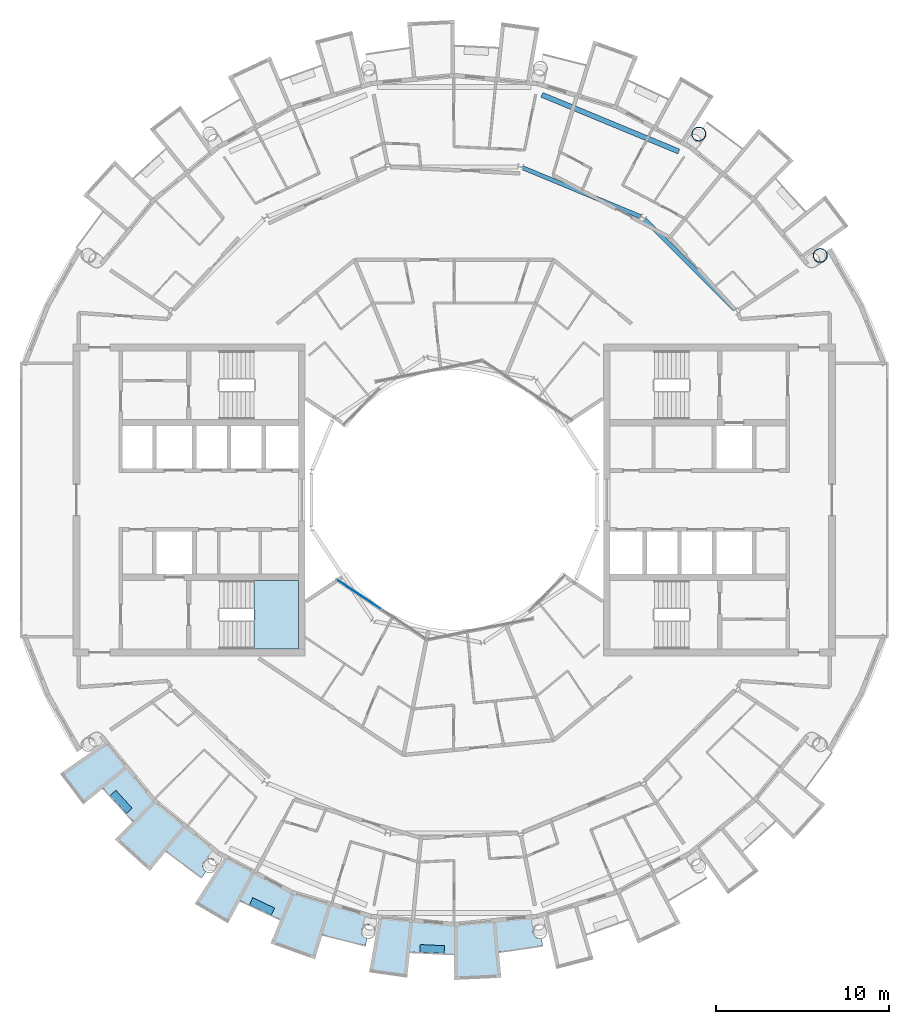
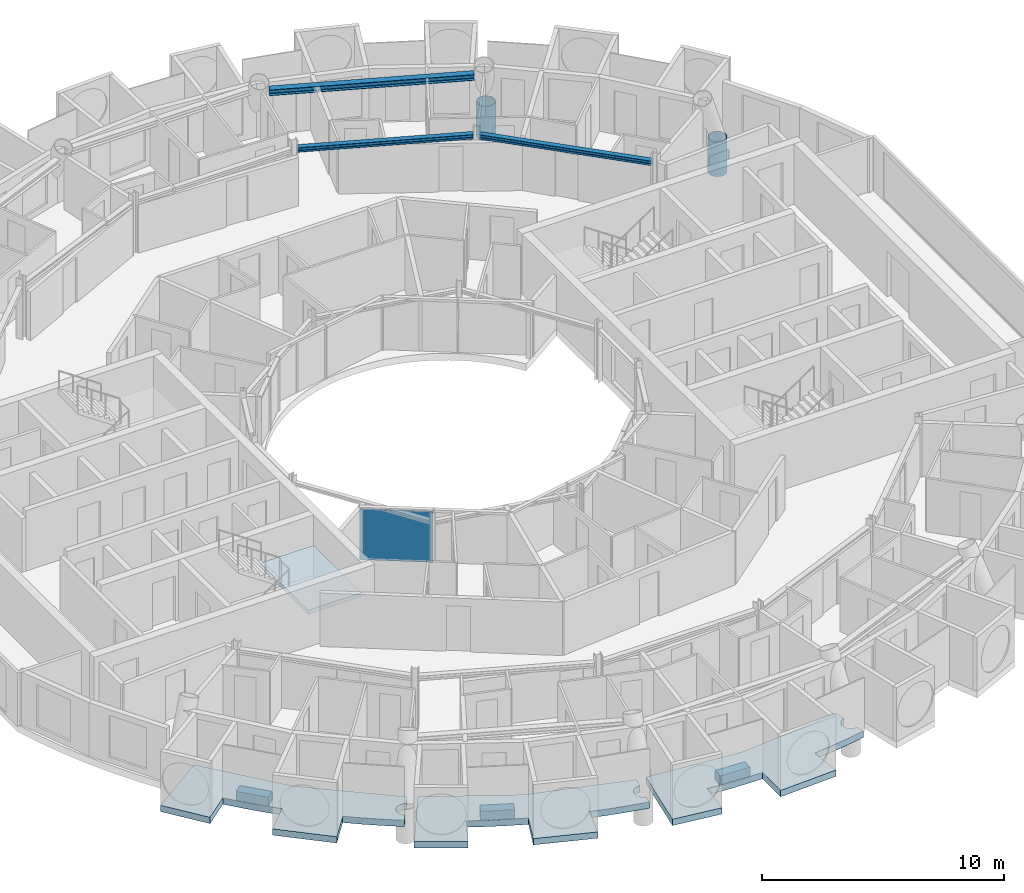
# One storey, part 10 of 27: 7 slabs, 3 beams, 2 members, 1 plate, 2 elements without a shape of their own.
"""IFC4 building model written with IfcOpenShell, lengths in metres."""

from ifc_helpers import new_model, si_unit, direction, frame, origin, origin_2d, place, context, subcontext, project, spatial, polyline, rectangle, hollow_circle, i_section, outline, extrude, material, layer, layer_set, material_profile, profile_set, type_object, element, aggregate, save


model = new_model("IFC4")

# Units and contexts
model_context = context("Model", 3, precision=1e-05, world=origin(), true_north=direction((0.0, 1.0)))
body_context = subcontext(model_context, "Body", "Model", "MODEL_VIEW")
ifc_project = project(units=[si_unit("LENGTHUNIT", "METRE"), si_unit("AREAUNIT", "SQUARE_METRE"), si_unit("VOLUMEUNIT", "CUBIC_METRE"), si_unit("PLANEANGLEUNIT", "RADIAN"), si_unit("MASSUNIT", "GRAM", prefix="KILO")], contexts=[model_context])

# Site, building, storey
site_placement = place(None, origin())
site = spatial("IfcSite", under=ifc_project, at=site_placement, CompositionType="ELEMENT")
building_placement = place(site_placement, origin())
building = spatial("IfcBuilding", under=site, at=building_placement, Name="Maasbend Ring Residences", CompositionType="ELEMENT")
storey_placement = place(building_placement, frame((0.0, 0.0, 243.199951171875)))
storey = spatial("IfcBuildingStorey", under=building, at=storey_placement, Name="L70", CompositionType="ELEMENT", Elevation=243.199951171875)

# Members
ifc_material_1 = material(Name="Steel S460NH", Category="steel")
ifc_material_profile_1 = material_profile(ifc_material_1, hollow_circle(Radius=0.406494140625, WallThickness=0.030029296875, at=origin_2d()), Name="Column node insert CHS 813x30")
ifc_profile_set_1 = profile_set([ifc_material_profile_1], Name="Steel S460NH")
member_type = type_object("IfcMemberType", Name="Column node insert CHS 813x30", PredefinedType="POST", material=ifc_profile_set_1)
for number, where, z_axis, x_axis, name in (
    (1, (21.119384765625, 14.111572265625, -1.5), (0.0, 0.0, 1.0), (1.0, 0.0, 0.0), "Column node insert R2"),
    (2, (14.111572265625, 21.119384765625, -1.5), (0.0, 0.0, 1.0), (1.0, 0.0, 0.0), "Column node insert R3"),
):
    element("IfcMember", number, at=place(storey_placement, frame(where, z_axis=z_axis, x_axis=x_axis)), inside=storey, type_object=member_type, Name=name, PredefinedType="POST", context=body_context, shape_type="SweptSolid", body=[
        extrude(hollow_circle(Radius=0.406494140625, WallThickness=0.030029296875, at=origin_2d()), origin(), (0.0, 0.0, 1.0), 1.741943359375),
    ])

# Beams
ifc_material_2 = material(Name="Steel S355J2", Category="steel")
ifc_material_profile_2 = material_profile(ifc_material_2, i_section(OverallWidth=0.239990234375, OverallDepth=0.22998046875, WebThickness=0.007568359375, FlangeThickness=0.011962890625, FilletRadius=0.02099609375, at=origin_2d()), Name="HEA 240")
ifc_profile_set_2 = profile_set([ifc_material_profile_2], Name="Steel S355J2")
beam_type_1 = type_object("IfcBeamType", Name="Corridor ring beam HEA 240", PredefinedType="BEAM", material=ifc_profile_set_2)
beam_1_placement = place(storey_placement, frame((16.188720703125, 10.997314453125, 2.5849609375), z_axis=(-0.707106781187, 0.707106781187, 0.0), x_axis=(-0.707106781187, -0.707106781187, 0.0)))
element("IfcBeam", 3, at=beam_1_placement, inside=storey, type_object=beam_type_1, Name="Corridor ring beam", PredefinedType="BEAM", context=body_context, shape_type="SweptSolid", body=[
    extrude(i_section(OverallWidth=0.239990234375, OverallDepth=0.22998046875, WebThickness=0.007568359375, FlangeThickness=0.011962890625, FilletRadius=0.02099609375, at=origin_2d()), origin(), (0.0, 0.0, 1.0), 7.341796875),
])
beam_2_placement = place(storey_placement, frame((10.747802734375, 16.355224609375, 2.5849609375), z_axis=(-0.923875784142, 0.382692481603, 0.0), x_axis=(-0.382692481603, -0.923875784142, 0.0)))
element("IfcBeam", 4, at=beam_2_placement, inside=storey, type_object=beam_type_1, Name="Corridor ring beam", PredefinedType="BEAM", context=body_context, shape_type="SweptSolid", body=[
    extrude(i_section(OverallWidth=0.239990234375, OverallDepth=0.22998046875, WebThickness=0.007568359375, FlangeThickness=0.011962890625, FilletRadius=0.02099609375, at=origin_2d()), origin(), (0.0, 0.0, 1.0), 7.341552734375),
])
ifc_material_3 = material(Name="Steel S355J2", Category="steel")
ifc_material_profile_3 = material_profile(ifc_material_3, i_section(OverallWidth=0.300048828125, OverallDepth=0.300048828125, WebThickness=0.010986328125, FlangeThickness=0.01904296875, FilletRadius=0.027099609375, at=origin_2d()), Name="HEB 300")
ifc_profile_set_3 = profile_set([ifc_material_profile_3], Name="Steel S355J2")
beam_type_2 = type_object("IfcBeamType", Name="Spandrel ring beam HEB 300", PredefinedType="SPANDREL", material=ifc_profile_set_3)
beam_3_placement = place(storey_placement, frame((12.9580078125, 20.11083984375, 2.550048828125), z_axis=(-0.923874855432, 0.382694723638, 0.0), x_axis=(-0.382694723638, -0.923874855432, 0.0)))
element("IfcBeam", 5, at=beam_3_placement, inside=storey, type_object=beam_type_2, Name="Spandrel ring beam", PredefinedType="SPANDREL", context=body_context, shape_type="SweptSolid", body=[
    extrude(i_section(OverallWidth=0.300048828125, OverallDepth=0.300048828125, WebThickness=0.010986328125, FlangeThickness=0.01904296875, FilletRadius=0.027099609375, at=origin_2d()), origin(), (0.0, 0.0, 1.0), 8.551025390625),
])

# Stair, slab
ifc_material_4 = material(Name="Concrete C40/50", Category="concrete")
stair_type = type_object("IfcStairType", Name="CORE STAIR 18 RISERS", PredefinedType="HALF_TURN_STAIR", material=ifc_material_4)
stair_placement = place(storey_placement, origin())
stair = element("IfcStair", 6, at=stair_placement, inside=storey, type_object=stair_type, Name="L70 Exit stair ST-W1", PredefinedType="HALF_TURN_STAIR")
ifc_material_5 = material(Name="Concrete C40/50", Category="concrete")
ifc_layer_1 = layer(ifc_material_5, 0.199951171875)
ifc_layer_set_1 = layer_set([ifc_layer_1], Name="Concrete C40/50")
slab_type_1 = type_object("IfcSlabType", Name="CORE STAIR LANDING 200", PredefinedType="LANDING", material=ifc_layer_set_1)
slab_1_placement = place(storey_placement, frame((0.0, 0.0, 1.324951171875)))
slab_1 = element("IfcSlab", 7, at=slab_1_placement, type_object=slab_type_1, Name="ST-W1 landing 1", PredefinedType="LANDING", context=body_context, shape_type="SweptSolid", body=[
    extrude(outline(polyline([(-11.550048828125, -8.60009765625), (-9.0, -8.60009765625), (-9.0, -4.64990234375), (-11.550048828125, -4.64990234375), (-11.550048828125, -8.60009765625)])), origin(), (0.0, 0.0, 1.0), 0.2001953125),
])
aggregate(stair, [slab_1])

# Curtain wall, plate
ifc_material_6 = material(Name="Aluminium and clear glass", Category="aluminium")
ifc_layer_2 = layer(ifc_material_6, 0.179931640625)
ifc_layer_set_2 = layer_set([ifc_layer_2], Name="CW-W")
curtain_wall_type = type_object("IfcCurtainWallType", Name="CW-W", PredefinedType="NOTDEFINED", material=ifc_layer_set_2)
curtain_wall_placement = place(storey_placement, origin())
curtain_wall = element("IfcCurtainWall", 8, at=curtain_wall_placement, inside=storey, type_object=curtain_wall_type, Name="Well curtain wall S1", PredefinedType="NOTDEFINED")
ifc_material_7 = material(Name="Glass clear laminated", Category="glass")
ifc_layer_3 = layer(ifc_material_7, 0.031982421875)
ifc_layer_set_3 = layer_set([ifc_layer_3], Name="CWP-W")
plate_type = type_object("IfcPlateType", Name="CWP-W", PredefinedType="CURTAIN_PANEL", material=ifc_layer_set_3)
plate_placement = place(storey_placement, frame((-5.51123046875, -5.44580078125, 0.0), z_axis=(0.0, 0.0, 1.0), x_axis=(0.831469612303, -0.55557023302, 0.0)))
plate = element("IfcPlate", 9, at=plate_placement, type_object=plate_type, Name="Glass panel well face", PredefinedType="CURTAIN_PANEL", context=body_context, shape_type="SweptSolid", body=[
    extrude(rectangle(XDim=3.053955078125, YDim=0.031982421875, at=origin_2d()), origin(), (0.0, 0.0, 1.0), 2.580078125),
])
aggregate(curtain_wall, [plate])

# Slabs
ifc_material_8 = material(Name="Planting with climbing greenery")
ifc_layer_4 = layer(ifc_material_8, 0.449951171875)
ifc_layer_set_4 = layer_set([ifc_layer_4], Name="PLANTER-LG")
slab_type_2 = type_object("IfcSlabType", Name="PLANTER-LG", PredefinedType="USERDEFINED", material=ifc_layer_set_4)
slab_2_placement = place(storey_placement, frame((0.0, 0.0, -0.030029296875)))
element("IfcSlab", 10, at=slab_2_placement, inside=storey, type_object=slab_type_2, Name="Planter with climbing greenery 1", ObjectType="PLANTER", PredefinedType="USERDEFINED", context=body_context, shape_type="SweptSolid", body=[
    extrude(outline(polyline([(-19.860107421875, -17.054931640625), (-18.9189453125, -18.092041015625), (-18.5859375, -17.7900390625), (-19.52587890625, -16.7529296875), (-19.860107421875, -17.054931640625)])), origin(), (0.0, 0.0, 1.0), 0.4501953125),
])
slab_3_placement = place(storey_placement, frame((0.0, 0.0, -0.030029296875)))
element("IfcSlab", 11, at=slab_3_placement, inside=storey, type_object=slab_type_2, Name="Planter with climbing greenery 2", ObjectType="PLANTER", PredefinedType="USERDEFINED", context=body_context, shape_type="SweptSolid", body=[
    extrude(outline(polyline([(-11.821044921875, -23.35693359375), (-10.555908203125, -23.955078125), (-10.363037109375, -23.548095703125), (-11.62890625, -22.949951171875), (-11.821044921875, -23.35693359375)])), origin(), (0.0, 0.0, 1.0), 0.4501953125),
])
slab_4_placement = place(storey_placement, frame((0.0, 0.0, -0.030029296875)))
element("IfcSlab", 12, at=slab_4_placement, inside=storey, type_object=slab_type_2, Name="Planter with climbing greenery 3", ObjectType="PLANTER", PredefinedType="USERDEFINED", context=body_context, shape_type="SweptSolid", body=[
    extrude(outline(polyline([(-1.98291015625, -26.10302734375), (-0.5849609375, -26.1708984375), (-0.56298828125, -25.721923828125), (-1.9609375, -25.653076171875), (-1.98291015625, -26.10302734375)])), origin(), (0.0, 0.0, 1.0), 0.4501953125),
])
ifc_material_9 = material(Name="Concrete C40/50", Category="concrete")
ifc_layer_5 = layer(ifc_material_9, 0.199951171875)
ifc_layer_set_5 = layer_set([ifc_layer_5], Name="Concrete C40/50")
slab_type_3 = type_object("IfcSlabType", Name="SL-LOGGIA", PredefinedType="FLOOR", material=ifc_layer_set_5)
slab_5_placement = place(storey_placement, frame((0.0, 0.0, -0.349853515625)))
element("IfcSlab", 13, at=slab_5_placement, inside=storey, type_object=slab_type_3, Name="Loggia floor 2", PredefinedType="FLOOR", context=body_context, shape_type="SweptSolid", body=[
    extrude(outline(polyline([(-2.389892578125, -24.264892578125), (0.0, -24.5), (0.0, -24.5), (0.0, -24.5), (2.389892578125, -24.264892578125), (4.780029296875, -24.029052734375), (4.780029296875, -24.029052734375), (4.780029296875, -24.029052734375), (4.8759765625, -24.512939453125), (4.865966796875, -24.514892578125), (4.85693359375, -24.51806640625), (4.846923828125, -24.52001953125), (4.8369140625, -24.52294921875), (4.827880859375, -24.52587890625), (4.818115234375, -24.529052734375), (4.80908203125, -24.532958984375), (4.800048828125, -24.535888671875), (4.791015625, -24.5400390625), (4.781005859375, -24.5439453125), (4.77294921875, -24.549072265625), (4.763916015625, -24.552978515625), (4.7548828125, -24.55810546875), (4.74609375, -24.56298828125), (4.738037109375, -24.568115234375), (4.72900390625, -24.573974609375), (4.720947265625, -24.580078125), (4.712890625, -24.5849609375), (4.705078125, -24.591064453125), (4.697021484375, -24.597900390625), (4.68994140625, -24.60400390625), (4.681884765625, -24.611083984375), (4.675048828125, -24.616943359375), (4.66796875, -24.6240234375), (4.660888671875, -24.632080078125), (4.654052734375, -24.638916015625), (4.64697265625, -24.64599609375), (4.64111328125, -24.654052734375), (4.635009765625, -24.662109375), (4.62890625, -24.669921875), (4.623046875, -24.677978515625), (4.616943359375, -24.68603515625), (4.612060546875, -24.694091796875), (4.60693359375, -24.702880859375), (4.60205078125, -24.7119140625), (4.596923828125, -24.719970703125), (4.592041015625, -24.72900390625), (4.587890625, -24.738037109375), (4.583984375, -24.7470703125), (4.580078125, -24.756103515625), (4.575927734375, -24.76611328125), (4.572998046875, -24.77490234375), (4.569091796875, -24.783935546875), (4.56591796875, -24.7939453125), (4.56396484375, -24.802978515625), (4.56103515625, -24.81298828125), (4.55908203125, -24.822998046875), (4.556884765625, -24.8330078125), (4.554931640625, -24.842041015625), (4.552978515625, -24.85205078125), (4.552001953125, -24.862060546875), (4.551025390625, -24.8720703125), (4.550048828125, -24.882080078125), (4.549072265625, -24.89208984375), (4.549072265625, -24.902099609375), (4.549072265625, -24.912109375), (4.549072265625, -24.922119140625), (4.549072265625, -24.931884765625), (4.550048828125, -24.94189453125), (4.551025390625, -24.951904296875), (4.552001953125, -24.9619140625), (4.552978515625, -24.971923828125), (4.554931640625, -24.98095703125), (4.556884765625, -24.990966796875), (4.55908203125, -25.0009765625), (4.56103515625, -25.010986328125), (4.56396484375, -25.02001953125), (4.56591796875, -25.030029296875), (4.569091796875, -25.0390625), (4.572998046875, -25.049072265625), (4.575927734375, -25.05810546875), (4.580078125, -25.06689453125), (4.583984375, -25.076904296875), (4.587890625, -25.0859375), (4.592041015625, -25.094970703125), (4.596923828125, -25.10400390625), (4.60205078125, -25.112060546875), (4.60693359375, -25.12109375), (4.612060546875, -25.12890625), (4.616943359375, -25.137939453125), (4.623046875, -25.14599609375), (4.62890625, -25.154052734375), (4.635009765625, -25.162109375), (4.64111328125, -25.169921875), (4.64697265625, -25.177001953125), (4.654052734375, -25.18505859375), (4.660888671875, -25.19189453125), (4.66796875, -25.198974609375), (4.675048828125, -25.2060546875), (4.681884765625, -25.212890625), (4.68994140625, -25.219970703125), (4.697021484375, -25.22607421875), (4.705078125, -25.23193359375), (4.712890625, -25.238037109375), (4.720947265625, -25.243896484375), (4.72900390625, -25.25), (4.738037109375, -25.2548828125), (4.74609375, -25.260986328125), (4.7548828125, -25.26611328125), (4.763916015625, -25.27001953125), (4.77294921875, -25.27490234375), (4.781005859375, -25.279052734375), (4.791015625, -25.283935546875), (4.800048828125, -25.287109375), (4.80908203125, -25.291015625), (4.818115234375, -25.294921875), (4.827880859375, -25.298095703125), (4.8369140625, -25.301025390625), (4.846923828125, -25.303955078125), (4.85693359375, -25.305908203125), (4.865966796875, -25.30908203125), (4.8759765625, -25.31103515625), (4.885986328125, -25.31201171875), (4.89599609375, -25.31396484375), (4.906005859375, -25.31494140625), (4.9150390625, -25.31591796875), (4.925048828125, -25.31689453125), (4.93505859375, -25.318115234375), (4.945068359375, -25.318115234375), (4.955078125, -25.318115234375), (4.965087890625, -25.318115234375), (4.97509765625, -25.318115234375), (4.985107421875, -25.31689453125), (4.9951171875, -25.31591796875), (5.0048828125, -25.31494140625), (5.014892578125, -25.31396484375), (5.02490234375, -25.31201171875), (5.034912109375, -25.31103515625), (5.111083984375, -25.697021484375), (5.111083984375, -25.697021484375), (5.111083984375, -25.697021484375), (4.26806640625, -25.85009765625), (4.26806640625, -25.85009765625), (3.419921875, -25.97607421875), (3.419921875, -25.97607421875), (2.569091796875, -26.073974609375), (2.568115234375, -26.073974609375), (2.568115234375, -26.073974609375), (2.568115234375, -26.073974609375), (2.568115234375, -26.073974609375), (2.568115234375, -26.073974609375), (2.568115234375, -26.073974609375), (2.568115234375, -26.073974609375), (2.568115234375, -26.073974609375), (2.568115234375, -26.073974609375), (2.568115234375, -26.073974609375), (2.568115234375, -26.073974609375), (2.568115234375, -26.073974609375), (2.568115234375, -26.073974609375), (2.568115234375, -26.073974609375), (2.568115234375, -26.073974609375), (2.568115234375, -26.073974609375), (2.715087890625, -27.56689453125), (2.715087890625, -27.56689453125), (2.715087890625, -27.56689453125), (0.0, -27.699951171875), (0.0, -27.699951171875), (0.0, -27.699951171875), (0.0, -26.199951171875), (0.0, -26.199951171875), (0.0, -26.199951171875), (0.0, -26.199951171875), (0.0, -26.199951171875), (0.0, -26.199951171875), (0.0, -26.199951171875), (0.0, -26.199951171875), (0.0, -26.199951171875), (0.0, -26.199951171875), (0.0, -26.199951171875), (0.0, -26.199951171875), (0.0, -26.199951171875), (0.0, -26.199951171875), (0.0, -26.199951171875), (0.0, -26.199951171875), (0.0, -26.199951171875), (-0.85693359375, -26.18603515625), (-0.85693359375, -26.18603515625), (-1.714111328125, -26.14404296875), (-1.714111328125, -26.14404296875), (-2.568115234375, -26.073974609375), (-2.568115234375, -26.073974609375), (-2.568115234375, -26.073974609375), (-2.568115234375, -26.073974609375), (-2.568115234375, -26.073974609375), (-2.568115234375, -26.073974609375), (-2.568115234375, -26.073974609375), (-2.568115234375, -26.073974609375), (-2.568115234375, -26.073974609375), (-2.568115234375, -26.073974609375), (-2.568115234375, -26.073974609375), (-2.568115234375, -26.073974609375), (-2.568115234375, -26.073974609375), (-2.568115234375, -26.073974609375), (-2.568115234375, -26.073974609375), (-2.568115234375, -26.073974609375), (-2.568115234375, -26.073974609375), (-2.715087890625, -27.56689453125), (-2.715087890625, -27.56689453125), (-2.715087890625, -27.56689453125), (-4.9150390625, -27.260009765625), (-4.9150390625, -27.260009765625), (-4.9150390625, -27.260009765625), (-4.340087890625, -24.072998046875), (-4.340087890625, -24.072998046875), (-4.340087890625, -24.072998046875), (-2.389892578125, -24.264892578125)])), origin(), (0.0, 0.0, 1.0), 0.31982421875),
])
slab_6_placement = place(storey_placement, frame((0.0, 0.0, -0.349853515625)))
element("IfcSlab", 14, at=slab_6_placement, inside=storey, type_object=slab_type_3, Name="Loggia floor 3", PredefinedType="FLOOR", context=body_context, shape_type="SweptSolid", body=[
    extrude(outline(polyline([(-11.493896484375, -21.5029296875), (-9.3759765625, -22.635009765625), (-9.3759765625, -22.635009765625), (-9.3759765625, -22.635009765625), (-7.077880859375, -23.33203125), (-4.780029296875, -24.029052734375), (-4.780029296875, -24.029052734375), (-4.780029296875, -24.029052734375), (-4.8759765625, -24.512939453125), (-4.8759765625, -24.512939453125), (-4.885986328125, -24.510986328125), (-4.89599609375, -24.510009765625), (-4.906005859375, -24.508056640625), (-4.9150390625, -24.507080078125), (-4.925048828125, -24.507080078125), (-4.93505859375, -24.506103515625), (-4.945068359375, -24.506103515625), (-4.955078125, -24.5048828125), (-4.965087890625, -24.506103515625), (-4.97509765625, -24.506103515625), (-4.985107421875, -24.507080078125), (-4.9951171875, -24.507080078125), (-5.0048828125, -24.508056640625), (-5.014892578125, -24.510009765625), (-5.02490234375, -24.510986328125), (-5.034912109375, -24.512939453125), (-5.0439453125, -24.514892578125), (-5.053955078125, -24.51806640625), (-5.06396484375, -24.52001953125), (-5.072998046875, -24.52294921875), (-5.0830078125, -24.52587890625), (-5.092041015625, -24.529052734375), (-5.10205078125, -24.532958984375), (-5.111083984375, -24.535888671875), (-5.1201171875, -24.5400390625), (-5.12890625, -24.5439453125), (-5.137939453125, -24.549072265625), (-5.14697265625, -24.552978515625), (-5.156005859375, -24.55810546875), (-5.1640625, -24.56298828125), (-5.173095703125, -24.568115234375), (-5.180908203125, -24.573974609375), (-5.18896484375, -24.580078125), (-5.197021484375, -24.5849609375), (-5.205078125, -24.591064453125), (-5.212890625, -24.597900390625), (-5.220947265625, -24.60400390625), (-5.22802734375, -24.611083984375), (-5.236083984375, -24.616943359375), (-5.242919921875, -24.6240234375), (-5.25, -24.632080078125), (-5.256103515625, -24.638916015625), (-5.262939453125, -24.64599609375), (-5.27001953125, -24.654052734375), (-5.27587890625, -24.662109375), (-5.281982421875, -24.669921875), (-5.2880859375, -24.677978515625), (-5.29296875, -24.68603515625), (-5.299072265625, -24.694091796875), (-5.303955078125, -24.702880859375), (-5.30908203125, -24.7119140625), (-5.31396484375, -24.719970703125), (-5.318115234375, -24.72900390625), (-5.322998046875, -24.738037109375), (-5.326904296875, -24.7470703125), (-5.3310546875, -24.756103515625), (-5.3349609375, -24.76611328125), (-5.337890625, -24.77490234375), (-5.341064453125, -24.783935546875), (-5.343994140625, -24.7939453125), (-5.346923828125, -24.802978515625), (-5.35009765625, -24.81298828125), (-5.35205078125, -24.822998046875), (-5.35400390625, -24.8330078125), (-5.35595703125, -24.842041015625), (-5.35693359375, -24.85205078125), (-5.35888671875, -24.862060546875), (-5.360107421875, -24.8720703125), (-5.361083984375, -24.882080078125), (-5.361083984375, -24.89208984375), (-5.362060546875, -24.902099609375), (-5.362060546875, -24.912109375), (-5.362060546875, -24.922119140625), (-5.361083984375, -24.931884765625), (-5.361083984375, -24.94189453125), (-5.360107421875, -24.951904296875), (-5.35888671875, -24.9619140625), (-5.35693359375, -24.971923828125), (-5.35595703125, -24.98095703125), (-5.35400390625, -24.990966796875), (-5.35205078125, -25.0009765625), (-5.35009765625, -25.010986328125), (-5.346923828125, -25.02001953125), (-5.343994140625, -25.030029296875), (-5.341064453125, -25.0390625), (-5.337890625, -25.049072265625), (-5.3349609375, -25.05810546875), (-5.3310546875, -25.06689453125), (-5.326904296875, -25.076904296875), (-5.322998046875, -25.0859375), (-5.318115234375, -25.094970703125), (-5.31396484375, -25.10400390625), (-5.30908203125, -25.112060546875), (-5.303955078125, -25.12109375), (-5.299072265625, -25.12890625), (-5.29296875, -25.137939453125), (-5.2880859375, -25.14599609375), (-5.281982421875, -25.154052734375), (-5.27587890625, -25.162109375), (-5.27001953125, -25.169921875), (-5.262939453125, -25.177001953125), (-5.256103515625, -25.18505859375), (-5.25, -25.19189453125), (-5.242919921875, -25.198974609375), (-5.236083984375, -25.2060546875), (-5.22802734375, -25.212890625), (-5.220947265625, -25.219970703125), (-5.212890625, -25.22607421875), (-5.205078125, -25.23193359375), (-5.197021484375, -25.238037109375), (-5.18896484375, -25.243896484375), (-5.180908203125, -25.25), (-5.173095703125, -25.2548828125), (-5.1640625, -25.260986328125), (-5.156005859375, -25.26611328125), (-5.14697265625, -25.27001953125), (-5.137939453125, -25.27490234375), (-5.12890625, -25.279052734375), (-5.1201171875, -25.283935546875), (-5.111083984375, -25.287109375), (-5.10205078125, -25.291015625), (-5.092041015625, -25.294921875), (-5.0830078125, -25.298095703125), (-5.072998046875, -25.301025390625), (-5.06396484375, -25.303955078125), (-5.053955078125, -25.305908203125), (-5.0439453125, -25.30908203125), (-5.034912109375, -25.31103515625), (-5.034912109375, -25.31103515625), (-5.111083984375, -25.697021484375), (-5.111083984375, -25.697021484375), (-5.111083984375, -25.697021484375), (-5.948974609375, -25.51611328125), (-5.948974609375, -25.51611328125), (-6.781005859375, -25.306884765625), (-6.781005859375, -25.306884765625), (-7.60498046875, -25.072021484375), (-7.60498046875, -25.072021484375), (-7.60498046875, -25.072021484375), (-7.60498046875, -25.072021484375), (-7.60498046875, -25.072021484375), (-7.60498046875, -25.072021484375), (-7.60498046875, -25.072021484375), (-7.60498046875, -25.072021484375), (-7.60498046875, -25.072021484375), (-7.60498046875, -25.072021484375), (-7.60498046875, -25.072021484375), (-7.60498046875, -25.072021484375), (-7.60595703125, -25.072021484375), (-7.60595703125, -25.072021484375), (-7.60595703125, -25.072021484375), (-7.60595703125, -25.072021484375), (-7.60595703125, -25.072021484375), (-8.041015625, -26.507080078125), (-8.041015625, -26.507080078125), (-8.041015625, -26.507080078125), (-10.60009765625, -25.591064453125), (-10.60009765625, -25.591064453125), (-10.60009765625, -25.591064453125), (-10.02587890625, -24.2060546875), (-10.02587890625, -24.2060546875), (-10.02587890625, -24.2060546875), (-10.02587890625, -24.2060546875), (-10.02587890625, -24.2060546875), (-10.02587890625, -24.2060546875), (-10.02587890625, -24.2060546875), (-10.02587890625, -24.2060546875), (-10.02587890625, -24.2060546875), (-10.027099609375, -24.2060546875), (-10.027099609375, -24.2060546875), (-10.027099609375, -24.2060546875), (-10.027099609375, -24.2060546875), (-10.027099609375, -24.2060546875), (-10.027099609375, -24.205078125), (-10.027099609375, -24.205078125), (-10.027099609375, -24.205078125), (-10.81298828125, -23.864990234375), (-10.81298828125, -23.864990234375), (-11.587890625, -23.498046875), (-11.587890625, -23.498046875), (-12.35009765625, -23.10693359375), (-12.35009765625, -23.10693359375), (-12.35009765625, -23.10693359375), (-12.35009765625, -23.10693359375), (-12.35009765625, -23.10693359375), (-12.35009765625, -23.10693359375), (-12.35009765625, -23.10693359375), (-12.35009765625, -23.10693359375), (-12.35107421875, -23.10693359375), (-12.35107421875, -23.10693359375), (-12.35107421875, -23.10693359375), (-12.35107421875, -23.10693359375), (-12.35107421875, -23.10693359375), (-12.35107421875, -23.10693359375), (-12.35107421875, -23.10693359375), (-12.35107421875, -23.10693359375), (-12.35107421875, -23.10693359375), (-13.05810546875, -24.428955078125), (-13.05810546875, -24.428955078125), (-13.05810546875, -24.428955078125), (-14.972900390625, -23.303955078125), (-14.972900390625, -23.303955078125), (-14.972900390625, -23.303955078125), (-13.221923828125, -20.5791015625), (-13.221923828125, -20.5791015625), (-13.221923828125, -20.5791015625), (-11.493896484375, -21.5029296875)])), origin(), (0.0, 0.0, 1.0), 0.31982421875),
])
slab_7_placement = place(storey_placement, frame((0.0, 0.0, -0.349853515625)))
element("IfcSlab", 15, at=slab_7_placement, inside=storey, type_object=slab_type_3, Name="Loggia floor 5", PredefinedType="FLOOR", context=body_context, shape_type="SweptSolid", body=[
    extrude(outline(polyline([(-18.847900390625, -15.468017578125), (-17.323974609375, -17.323974609375), (-17.323974609375, -17.323974609375), (-17.323974609375, -17.323974609375), (-15.468017578125, -18.847900390625), (-13.611083984375, -20.37109375), (-13.885986328125, -20.781005859375), (-13.89404296875, -20.77587890625), (-13.903076171875, -20.77099609375), (-13.910888671875, -20.76611328125), (-13.919921875, -20.760986328125), (-13.928955078125, -20.756103515625), (-13.93798828125, -20.751953125), (-13.947021484375, -20.748046875), (-13.9560546875, -20.743896484375), (-13.965087890625, -20.739990234375), (-13.97509765625, -20.737060546875), (-13.98388671875, -20.73291015625), (-13.992919921875, -20.72998046875), (-14.0029296875, -20.72802734375), (-14.012939453125, -20.72509765625), (-14.02197265625, -20.722900390625), (-14.031982421875, -20.720947265625), (-14.0419921875, -20.718994140625), (-14.052001953125, -20.717041015625), (-14.06201171875, -20.716064453125), (-14.072021484375, -20.715087890625), (-14.08203125, -20.714111328125), (-14.092041015625, -20.712890625), (-14.10205078125, -20.712890625), (-14.111083984375, -20.712890625), (-14.12109375, -20.712890625), (-14.131103515625, -20.712890625), (-14.14111328125, -20.714111328125), (-14.15087890625, -20.715087890625), (-14.160888671875, -20.716064453125), (-14.1708984375, -20.717041015625), (-14.180908203125, -20.718994140625), (-14.19091796875, -20.720947265625), (-14.200927734375, -20.722900390625), (-14.2099609375, -20.72509765625), (-14.219970703125, -20.72802734375), (-14.22998046875, -20.72998046875), (-14.239013671875, -20.73291015625), (-14.248046875, -20.737060546875), (-14.258056640625, -20.739990234375), (-14.26708984375, -20.743896484375), (-14.27587890625, -20.748046875), (-14.284912109375, -20.751953125), (-14.2939453125, -20.756103515625), (-14.302978515625, -20.760986328125), (-14.31201171875, -20.76611328125), (-14.320068359375, -20.77099609375), (-14.3291015625, -20.77587890625), (-14.3369140625, -20.781005859375), (-14.345947265625, -20.787109375), (-14.35400390625, -20.79296875), (-14.362060546875, -20.799072265625), (-14.368896484375, -20.804931640625), (-14.376953125, -20.81103515625), (-14.384033203125, -20.818115234375), (-14.39208984375, -20.824951171875), (-14.39892578125, -20.83203125), (-14.406005859375, -20.839111328125), (-14.4130859375, -20.845947265625), (-14.4189453125, -20.85400390625), (-14.426025390625, -20.861083984375), (-14.431884765625, -20.868896484375), (-14.43798828125, -20.876953125), (-14.444091796875, -20.885009765625), (-14.448974609375, -20.89306640625), (-14.455078125, -20.902099609375), (-14.4599609375, -20.909912109375), (-14.465087890625, -20.9189453125), (-14.469970703125, -20.927978515625), (-14.47509765625, -20.93701171875), (-14.47900390625, -20.945068359375), (-14.48291015625, -20.955078125), (-14.487060546875, -20.964111328125), (-14.490966796875, -20.972900390625), (-14.493896484375, -20.98193359375), (-14.4970703125, -20.991943359375), (-14.5, -21.0009765625), (-14.5029296875, -21.010986328125), (-14.506103515625, -21.02099609375), (-14.508056640625, -21.030029296875), (-14.510009765625, -21.0400390625), (-14.511962890625, -21.050048828125), (-14.513916015625, -21.06005859375), (-14.514892578125, -21.070068359375), (-14.51611328125, -21.0791015625), (-14.51708984375, -21.089111328125), (-14.51806640625, -21.09912109375), (-14.51806640625, -21.10888671875), (-14.51806640625, -21.118896484375), (-14.51806640625, -21.12890625), (-14.51806640625, -21.138916015625), (-14.51708984375, -21.14892578125), (-14.51611328125, -21.158935546875), (-14.514892578125, -21.1689453125), (-14.513916015625, -21.178955078125), (-14.511962890625, -21.18896484375), (-14.510009765625, -21.198974609375), (-14.508056640625, -21.2080078125), (-14.506103515625, -21.218017578125), (-14.5029296875, -21.22802734375), (-14.5, -21.237060546875), (-14.4970703125, -21.2470703125), (-14.493896484375, -21.256103515625), (-14.490966796875, -21.26611328125), (-14.487060546875, -21.27490234375), (-14.48291015625, -21.283935546875), (-14.47900390625, -21.29296875), (-14.47509765625, -21.302001953125), (-14.469970703125, -21.31103515625), (-14.465087890625, -21.320068359375), (-14.4599609375, -21.327880859375), (-14.455078125, -21.3369140625), (-14.448974609375, -21.344970703125), (-14.444091796875, -21.35302734375), (-14.43798828125, -21.361083984375), (-14.431884765625, -21.368896484375), (-14.426025390625, -21.376953125), (-14.4189453125, -21.385009765625), (-14.4130859375, -21.39208984375), (-14.406005859375, -21.39990234375), (-14.39892578125, -21.406982421875), (-14.39208984375, -21.4140625), (-14.384033203125, -21.419921875), (-14.376953125, -21.427001953125), (-14.368896484375, -21.43408203125), (-14.362060546875, -21.43994140625), (-14.35400390625, -21.446044921875), (-14.345947265625, -21.451904296875), (-14.3369140625, -21.45703125), (-14.555908203125, -21.783935546875), (-15.260986328125, -21.297119140625), (-15.949951171875, -20.785888671875), (-16.62109375, -20.2529296875), (-16.62109375, -20.2529296875), (-16.62109375, -20.2529296875), (-16.62109375, -20.2529296875), (-16.62109375, -20.2529296875), (-16.62109375, -20.2529296875), (-16.62109375, -20.2529296875), (-16.62109375, -20.2529296875), (-16.62109375, -20.2529296875), (-16.62109375, -20.2529296875), (-16.62109375, -20.2529296875), (-16.62109375, -20.2529296875), (-16.62109375, -20.2529296875), (-16.62109375, -20.2529296875), (-16.62109375, -20.2529296875), (-16.62109375, -20.2529296875), (-16.62109375, -20.2529296875), (-17.572998046875, -21.412109375), (-19.5869140625, -19.5869140625), (-18.527099609375, -18.527099609375), (-18.527099609375, -18.527099609375), (-18.52587890625, -18.52587890625), (-18.52587890625, -18.52587890625), (-18.52587890625, -18.52587890625), (-18.52587890625, -18.52587890625), (-18.52587890625, -18.52587890625), (-18.52587890625, -18.52587890625), (-18.52587890625, -18.52587890625), (-18.52587890625, -18.52587890625), (-18.52587890625, -18.52587890625), (-18.52587890625, -18.52587890625), (-18.52587890625, -18.52587890625), (-18.52587890625, -18.52587890625), (-18.52587890625, -18.52587890625), (-18.527099609375, -18.52587890625), (-18.527099609375, -18.52587890625), (-19.1220703125, -17.909912109375), (-19.697998046875, -17.27490234375), (-20.2529296875, -16.62109375), (-20.2529296875, -16.62109375), (-20.2529296875, -16.62109375), (-20.2529296875, -16.62109375), (-20.2529296875, -16.62109375), (-20.2529296875, -16.62109375), (-20.2529296875, -16.62109375), (-20.2529296875, -16.62109375), (-20.2529296875, -16.62109375), (-20.2529296875, -16.62109375), (-20.2529296875, -16.62109375), (-20.2529296875, -16.62109375), (-20.2529296875, -16.62109375), (-20.2529296875, -16.62109375), (-20.2529296875, -16.62109375), (-20.2529296875, -16.62109375), (-20.2529296875, -16.62109375), (-21.412109375, -17.572998046875), (-22.751953125, -15.800048828125), (-20.091064453125, -13.952880859375), (-18.847900390625, -15.468017578125)])), origin(), (0.0, 0.0, 1.0), 0.31982421875),
])

save(model, "model.ifc")
